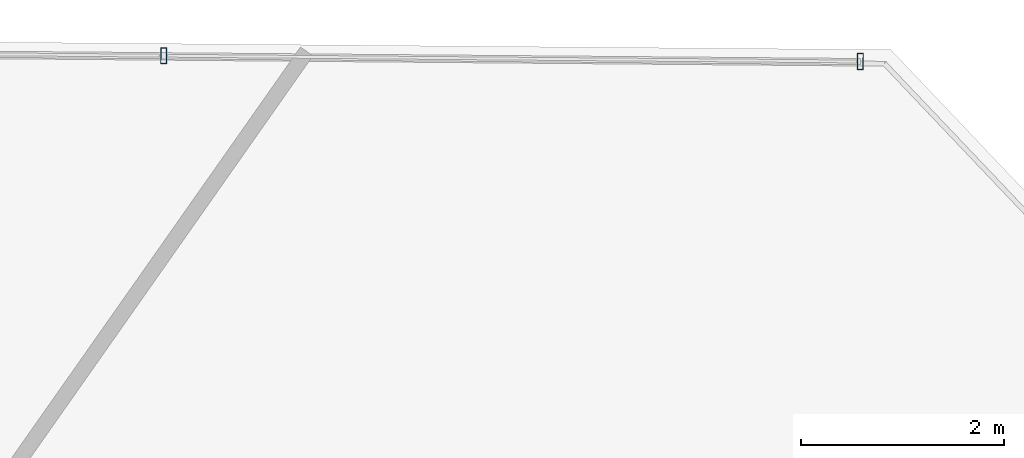
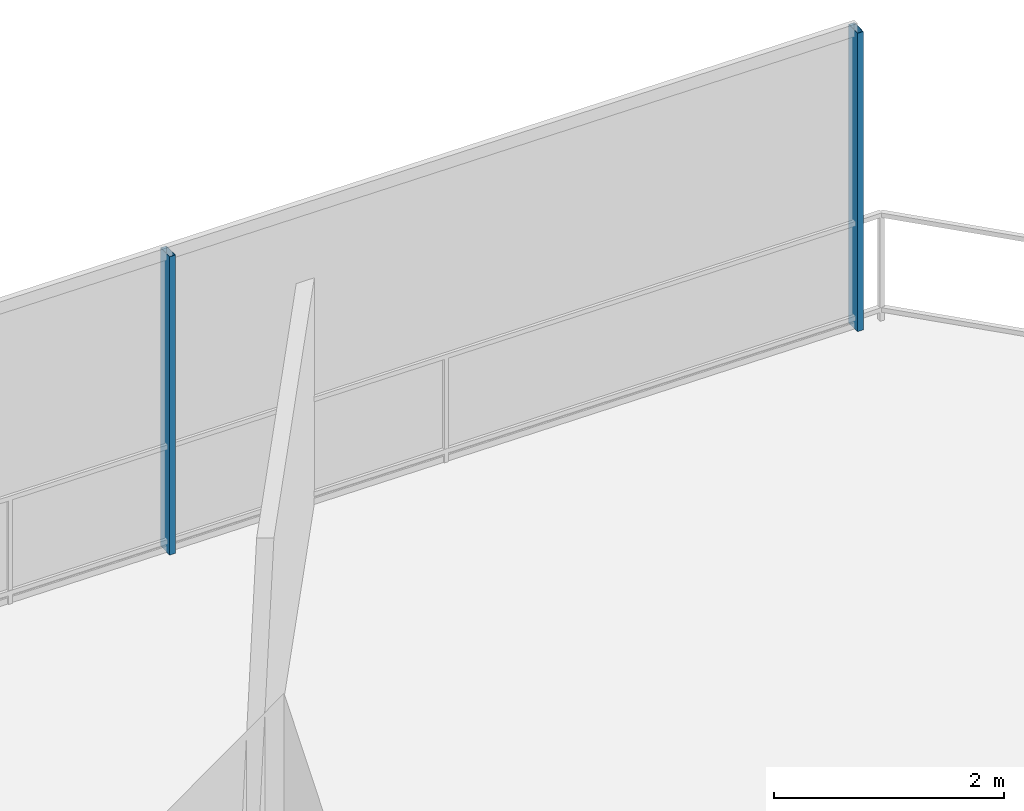
# One storey, part 23 of 31: 2 members, 1 element without a shape of its own.
"""IFC4 building model written with IfcOpenShell, lengths in metres."""

from ifc_helpers import new_model, si_unit, direction, frame, origin, origin_2d, place, context, subcontext, project, spatial, hollow_rectangle, extrude, material, layer, layer_set, material_profile, profile_set, type_object, element, aggregate, save


model = new_model("IFC4")

# Units and contexts
model_context = context("Model", 3, precision=1e-05, world=origin(), true_north=direction((0.0, 1.0)))
body_context = subcontext(model_context, "Body", "Model", "MODEL_VIEW")
ifc_project = project(units=[si_unit("LENGTHUNIT", "METRE"), si_unit("AREAUNIT", "SQUARE_METRE"), si_unit("VOLUMEUNIT", "CUBIC_METRE"), si_unit("PLANEANGLEUNIT", "RADIAN"), si_unit("MASSUNIT", "GRAM", prefix="KILO")], contexts=[model_context])

# Site, building, storey
site_placement = place(None, origin())
site = spatial("IfcSite", under=ifc_project, at=site_placement, CompositionType="ELEMENT")
building_placement = place(site_placement, origin())
building = spatial("IfcBuilding", under=site, at=building_placement, Name="Qarnah Convention Tower", CompositionType="ELEMENT")
storey_placement = place(building_placement, frame((0.0, 0.0, 64.949951171875)))
storey = spatial("IfcBuildingStorey", under=building, at=storey_placement, Name="L16", CompositionType="ELEMENT", Elevation=64.949951171875)

# Curtain wall, members
ifc_material_1 = material(Name="Tempered Low-E dark glass", Category="glass")
ifc_layer = layer(ifc_material_1, 0.16796875)
ifc_layer_set = layer_set([ifc_layer], Name="Tempered Low-E dark glass")
curtain_wall_type = type_object("IfcCurtainWallType", Name="CWS-01", PredefinedType="NOTDEFINED", material=ifc_layer_set)
curtain_wall_placement = place(storey_placement, origin())
curtain_wall = element("IfcCurtainWall", 1, at=curtain_wall_placement, inside=storey, type_object=curtain_wall_type, Name="L16 unitised curtain wall CW-L16-F1", PredefinedType="NOTDEFINED")
ifc_material_2 = material(Name="Black anodised aluminium", Category="aluminium")
ifc_material_profile = material_profile(ifc_material_2, hollow_rectangle(XDim=0.06005859375, YDim=0.159912109375, WallThickness=0.00390625, at=origin_2d()), Name="MUL-60X160")
ifc_profile_set = profile_set([ifc_material_profile], Name="Black anodised aluminium")
member_type = type_object("IfcMemberType", Name="MUL-T1", PredefinedType="MULLION", material=ifc_profile_set)
member_1_placement = place(storey_placement, frame((48.7138671875, 44.42431640625, 0.0), z_axis=(0.0, 0.0, 1.0), x_axis=(0.999965190634, -0.008343711474, 0.0)))
member_1 = element("IfcMember", 2, at=member_1_placement, type_object=member_type, Name="CW-L16-F1 mullion 5", PredefinedType="MULLION", context=body_context, shape_type="SweptSolid", body=[
    extrude(hollow_rectangle(XDim=0.06005859375, YDim=0.159912109375, WallThickness=0.00390625, at=origin_2d()), origin(), (0.0, 0.0, 1.0), 3.170166015625),
])
member_2_placement = place(storey_placement, frame((55.593017578125, 44.366943359375, 0.0), z_axis=(0.0, 0.0, 1.0), x_axis=(0.999965190634, -0.008343711474, 0.0)))
member_2 = element("IfcMember", 3, at=member_2_placement, type_object=member_type, Name="CW-L16-F1 mullion 6", PredefinedType="MULLION", context=body_context, shape_type="SweptSolid", body=[
    extrude(hollow_rectangle(XDim=0.06005859375, YDim=0.159912109375, WallThickness=0.00390625, at=origin_2d()), origin(), (0.0, 0.0, 1.0), 3.170166015625),
])
aggregate(curtain_wall, [member_1, member_2])

save(model, "model.ifc")
